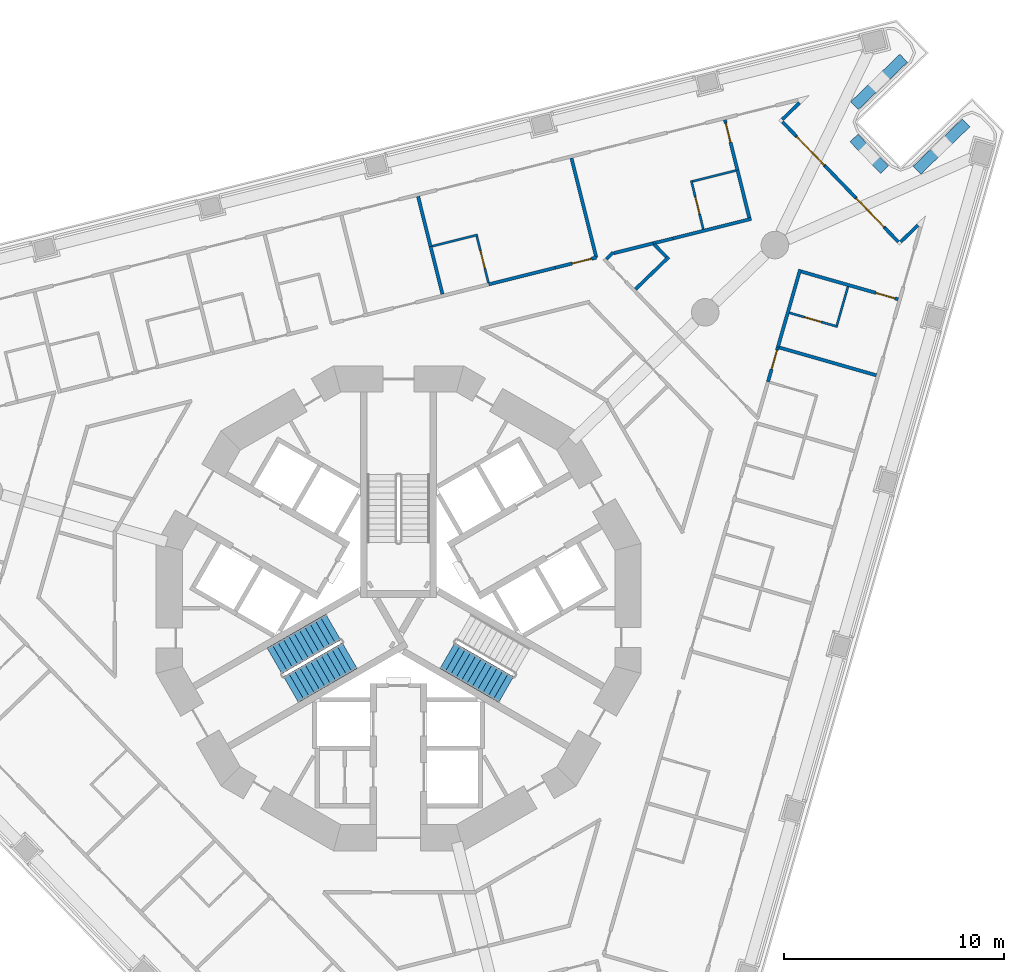
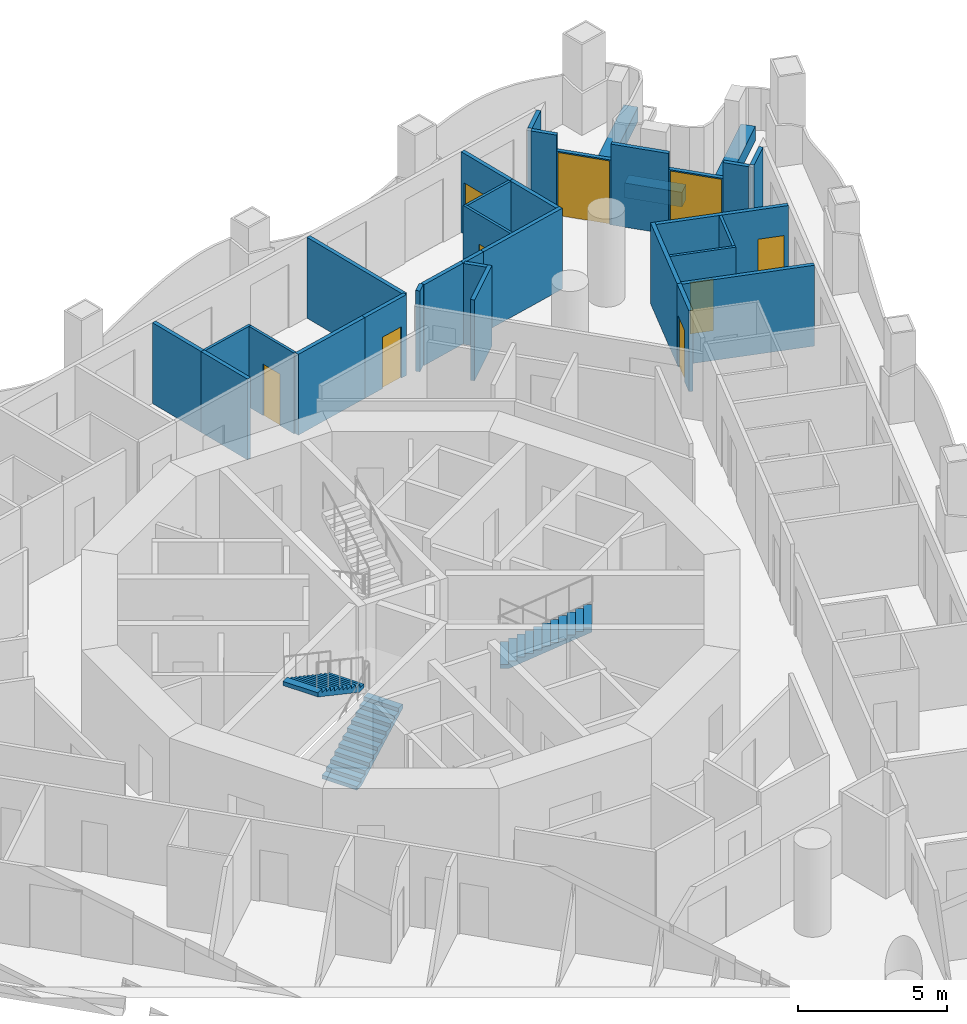
# One storey, part 11 of 20: 33 walls, 9 doors, 3 stair flights, 9 openings, 2 elements without a shape of their own.
"""IFC4 building model written with IfcOpenShell, lengths in metres."""

from ifc_helpers import new_model, si_unit, direction, frame, frame_2d, origin, place, context, subcontext, project, spatial, polyline, rectangle, outline, extrude, material, layer, layer_set, type_object, element, fill, aggregate, save


model = new_model("IFC4")

# Units and contexts
model_context = context("Model", 3, precision=1e-05, world=origin(), true_north=direction((0.0, 1.0)))
body_context = subcontext(model_context, "Body", "Model", "MODEL_VIEW")
ifc_project = project(units=[si_unit("LENGTHUNIT", "METRE"), si_unit("AREAUNIT", "SQUARE_METRE"), si_unit("VOLUMEUNIT", "CUBIC_METRE"), si_unit("PLANEANGLEUNIT", "RADIAN"), si_unit("MASSUNIT", "GRAM", prefix="KILO")], contexts=[model_context])

# Site, building, storey
site_placement = place(None, origin())
site = spatial("IfcSite", under=ifc_project, at=site_placement, CompositionType="ELEMENT")
building_placement = place(site_placement, origin())
building = spatial("IfcBuilding", under=site, at=building_placement, Name="Trine Commons Tower", CompositionType="ELEMENT")
storey_placement = place(building_placement, frame((0.0, 0.0, 108.89990234375)))
storey = spatial("IfcBuildingStorey", under=building, at=storey_placement, Name="L27", CompositionType="ELEMENT", Elevation=108.89990234375)

# Walls
ifc_material_1 = material(Name="Aluminium-framed insulated wall panel", Category="aluminium")
ifc_layer_1 = layer(ifc_material_1, 0.14990234375)
ifc_layer_set_1 = layer_set([ifc_layer_1], Name="Aluminium-framed insulated wall panel")
wall_type_1 = type_object("IfcWallType", Name="Glazed frame wall 150, EI 60", PredefinedType="SOLIDWALL", material=ifc_layer_set_1)
wall_1_placement = place(storey_placement, frame((98.3076171875, 85.552490234375, 0.0), z_axis=(0.0, 0.0, 1.0), x_axis=(-0.719251336278, -0.694749966004, 0.0)))
element("IfcWall", 1, at=wall_1_placement, inside=storey, type_object=wall_type_1, Name="Glazed frame wall R5", PredefinedType="SOLIDWALL", context=body_context, shape_type="SweptSolid", body=[
    extrude(outline(polyline([(0.1494140625, 0.074951171875), (0.1494140625, -0.074951171875), (1.235107421875, -0.074951171875), (1.235107421875, 0.074951171875), (0.1494140625, 0.074951171875)])), origin(), (0.0, 0.0, 1.0), 3.300048828125),
])
wall_2_placement = place(storey_placement, frame((97.3408203125, 84.66748046875, 0.0), z_axis=(0.0, 0.0, 1.0), x_axis=(0.694668587965, -0.719329933267, 0.0)))
element("IfcWall", 2, at=wall_2_placement, inside=storey, type_object=wall_type_1, Name="Glazed frame wall P2.1", PredefinedType="SOLIDWALL", context=body_context, shape_type="SweptSolid", body=[
    extrude(outline(polyline([(0.110107421875, -0.074951171875), (1.0, -0.074951171875), (1.0, 0.074951171875), (0.110107421875, 0.074951171875), (0.110107421875, -0.074951171875)])), origin(), (0.0, 0.0, 1.0), 3.300048828125),
])

# Wall, opening, door
wall_3_placement = place(storey_placement, frame((98.035400390625, 83.9482421875, 0.0), z_axis=(0.0, 0.0, 1.0), x_axis=(0.694665586762, -0.719332831566, 0.0)))
wall_3 = element("IfcWall", 3, at=wall_3_placement, inside=storey, type_object=wall_type_1, Name="Glazed frame wall P2.2", PredefinedType="SOLIDWALL", context=body_context, shape_type="SweptSolid", body=[
    extrude(outline(polyline([(0.0, -0.074951171875), (1.89990234375, -0.074951171875), (1.89990234375, 0.074951171875), (0.0, 0.074951171875), (0.0, -0.074951171875)])), origin(), (0.0, 0.0, 1.0), 2.650146484375),
])
opening_1_placement = place(wall_3_placement, frame((0.050048828125, 0.0, 0.0)))
opening_1 = element("IfcOpeningElement", 4, at=opening_1_placement, cuts=wall_3, Name="Opening BD-3P2-01", PredefinedType="OPENING", context=body_context, shape_type="SweptSolid", body=[
    extrude(rectangle(XDim=1.800048828125, YDim=2.60009765625, at=frame_2d((0.89990234375, 1.300048828125))), frame((0.0, 0.0849609375, 0.0), z_axis=(0.0, -1.0, 0.0), x_axis=(1.0, 0.0, 0.0)), (0.0, 0.0, 1.0), 0.169921875),
])
ifc_material_2 = material(Name="Anodised aluminium frame with double glazing", Category="aluminium")
door_type_1 = type_object("IfcDoorType", Name="Sliding loggia door 1800x2600", OperationType="SLIDING_TO_LEFT", PredefinedType="DOOR", material=ifc_material_2)
door_1_placement = place(opening_1_placement, origin())
door_1 = element("IfcDoor", 5, at=door_1_placement, inside=storey, type_object=door_type_1, Name="Loggia door P2 1", OperationType="SLIDING_TO_LEFT", OverallHeight=2.60009765625, OverallWidth=1.800048828125, PredefinedType="DOOR", context=body_context, shape_type="SweptSolid", body=[
    extrude(rectangle(XDim=1.800048828125, YDim=2.60009765625, at=frame_2d((0.89990234375, 1.300048828125))), frame((0.0, 0.02490234375, 0.0), z_axis=(0.0, -1.0, 0.0), x_axis=(1.0, 0.0, 0.0)), (0.0, 0.0, 1.0), 0.050048828125),
])
fill(opening_1, door_1)

# Wall
wall_4_placement = place(storey_placement, frame((99.35546875, 82.581298828125, 0.0), z_axis=(0.0, 0.0, 1.0), x_axis=(0.694668587965, -0.719329933267, 0.0)))
element("IfcWall", 6, at=wall_4_placement, inside=storey, type_object=wall_type_1, Name="Glazed frame wall P2.3", PredefinedType="SOLIDWALL", context=body_context, shape_type="SweptSolid", body=[
    extrude(outline(polyline([(0.0, -0.074951171875), (2.0, -0.074951171875), (2.0, 0.074951171875), (0.0, 0.074951171875), (0.0, -0.074951171875)])), origin(), (0.0, 0.0, 1.0), 3.300048828125),
])

# Wall, opening, door
wall_5_placement = place(storey_placement, frame((100.74462890625, 81.142822265625, 0.0), z_axis=(0.0, 0.0, 1.0), x_axis=(0.694599099672, -0.719397032753, 0.0)))
wall_5 = element("IfcWall", 7, at=wall_5_placement, inside=storey, type_object=wall_type_1, Name="Glazed frame wall P2.4", PredefinedType="SOLIDWALL", context=body_context, shape_type="SweptSolid", body=[
    extrude(outline(polyline([(0.0, -0.074951171875), (1.89990234375, -0.074951171875), (1.89990234375, 0.074951171875), (0.0, 0.074951171875), (0.0, -0.074951171875)])), origin(), (0.0, 0.0, 1.0), 2.650146484375),
])
opening_2_placement = place(wall_5_placement, frame((0.050048828125, 0.0, 0.0)))
opening_2 = element("IfcOpeningElement", 8, at=opening_2_placement, cuts=wall_5, Name="Opening BD-3P2-02", PredefinedType="OPENING", context=body_context, shape_type="SweptSolid", body=[
    extrude(rectangle(XDim=1.800048828125, YDim=2.60009765625, at=frame_2d((0.89990234375, 1.300048828125))), frame((0.0, 0.0849609375, 0.0), z_axis=(0.0, -1.0, 0.0), x_axis=(1.0, 0.0, 0.0)), (0.0, 0.0, 1.0), 0.169921875),
])
door_2_placement = place(opening_2_placement, origin())
door_2 = element("IfcDoor", 9, at=door_2_placement, inside=storey, type_object=door_type_1, Name="Loggia door P2 2", OperationType="SLIDING_TO_LEFT", OverallHeight=2.60009765625, OverallWidth=1.800048828125, PredefinedType="DOOR", context=body_context, shape_type="SweptSolid", body=[
    extrude(rectangle(XDim=1.800048828125, YDim=2.60009765625, at=frame_2d((0.89990234375, 1.300048828125))), frame((0.0, 0.02490234375, 0.0), z_axis=(0.0, -1.0, 0.0), x_axis=(1.0, 0.0, 0.0)), (0.0, 0.0, 1.0), 0.050048828125),
])
fill(opening_2, door_2)

# Walls
wall_6_placement = place(storey_placement, frame((102.064453125, 79.77587890625, 0.0), z_axis=(0.0, 0.0, 1.0), x_axis=(0.694794898962, -0.719207931252, 0.0)))
element("IfcWall", 10, at=wall_6_placement, inside=storey, type_object=wall_type_1, Name="Glazed frame wall P2.5", PredefinedType="SOLIDWALL", context=body_context, shape_type="SweptSolid", body=[
    extrude(outline(polyline([(0.889892578125, 0.074951171875), (0.0, 0.074951171875), (0.0, -0.074951171875), (0.889892578125, -0.074951171875), (0.889892578125, 0.074951171875)])), origin(), (0.0, 0.0, 1.0), 3.300048828125),
])
wall_7_placement = place(storey_placement, frame((102.709716796875, 79.0576171875, 0.0), z_axis=(0.0, 0.0, 1.0), x_axis=(0.719342032924, 0.694656058542, 0.0)))
element("IfcWall", 11, at=wall_7_placement, inside=storey, type_object=wall_type_1, Name="Glazed frame wall R7", PredefinedType="SOLIDWALL", context=body_context, shape_type="SweptSolid", body=[
    extrude(outline(polyline([(0.110107421875, 0.074951171875), (0.110107421875, -0.074951171875), (1.19580078125, -0.074951171875), (1.19580078125, 0.074951171875), (0.110107421875, 0.074951171875)])), origin(), (0.0, 0.0, 1.0), 3.300048828125),
])
ifc_material_3 = material(Name="Planter trough, precast concrete C40/50", Category="concrete")
ifc_layer_2 = layer(ifc_material_3, 0.5)
ifc_layer_set_2 = layer_set([ifc_layer_2], Name="Planter trough, precast concrete C40/50")
wall_type_2 = type_object("IfcWallType", Name="Planter trough 500x600", PredefinedType="PARAPET", material=ifc_layer_set_2)
wall_8_placement = place(storey_placement, frame((102.923828125, 87.47314453125, 0.0), z_axis=(0.0, 0.0, 1.0), x_axis=(-0.719324109218, -0.694674618723, 0.0)))
element("IfcWall", 12, at=wall_8_placement, inside=storey, type_object=wall_type_2, Name="Planter 4", PredefinedType="PARAPET", context=body_context, shape_type="SweptSolid", body=[
    extrude(rectangle(XDim=3.10009765625, YDim=0.5, at=frame_2d((1.550048828125, 0.0))), origin(), (0.0, 0.0, 1.0), 0.60009765625),
])
wall_9_placement = place(storey_placement, frame((100.668212890625, 83.84912109375, 0.0), z_axis=(0.0, 0.0, 1.0), x_axis=(0.694731751498, -0.719268929859, 0.0)))
element("IfcWall", 13, at=wall_9_placement, inside=storey, type_object=wall_type_2, Name="Planter 5", PredefinedType="PARAPET", context=body_context, shape_type="SweptSolid", body=[
    extrude(rectangle(XDim=2.0, YDim=0.5, at=frame_2d((1.0, 0.0))), origin(), (0.0, 0.0, 1.0), 0.60009765625),
])
wall_10_placement = place(storey_placement, frame((103.528076171875, 82.385009765625, 0.0), z_axis=(0.0, 0.0, 1.0), x_axis=(0.719363462475, 0.694633866765, 0.0)))
element("IfcWall", 14, at=wall_10_placement, inside=storey, type_object=wall_type_2, Name="Planter 6", PredefinedType="PARAPET", context=body_context, shape_type="SweptSolid", body=[
    extrude(rectangle(XDim=3.099853515625, YDim=0.5, at=frame_2d((1.5498046875, 0.0))), origin(), (0.0, 0.0, 1.0), 0.60009765625),
])
ifc_material_4 = material(Name="Gypsum plasterboard on steel stud", Category="steel")
ifc_layer_3 = layer(ifc_material_4, 0.14990234375)
ifc_layer_set_3 = layer_set([ifc_layer_3], Name="Gypsum plasterboard on steel stud")
wall_type_3 = type_object("IfcWallType", Name="Unit and corridor wall 150 mm, EI 60", PredefinedType="PARTITIONING", material=ifc_layer_set_3)
wall_11_placement = place(storey_placement, frame((80.8857421875, 81.1982421875, 0.0), z_axis=(0.0, 0.0, 1.0), x_axis=(0.242047152862, -0.970264487545, 0.0)))
element("IfcWall", 15, at=wall_11_placement, inside=storey, type_object=wall_type_3, Name="Partition 072", PredefinedType="PARTITIONING", context=body_context, shape_type="SweptSolid", body=[
    extrude(rectangle(XDim=2.35205078125, YDim=0.14990234375, at=frame_2d((1.176025390625, 0.0))), origin(), (0.0, 0.0, 1.0), 3.300048828125),
])
wall_12_placement = place(storey_placement, frame((81.452880859375, 78.924072265625, 0.0), z_axis=(0.0, 0.0, 1.0), x_axis=(0.241891147117, -0.970303392216, 0.0)))
element("IfcWall", 16, at=wall_12_placement, inside=storey, type_object=wall_type_3, Name="Partition 076", PredefinedType="PARTITIONING", context=body_context, shape_type="SweptSolid", body=[
    extrude(rectangle(XDim=2.228515625, YDim=0.14990234375, at=frame_2d((1.1142578125, 0.0))), origin(), (0.0, 0.0, 1.0), 3.300048828125),
])
wall_13_placement = place(storey_placement, frame((84.092041015625, 77.2080078125, 0.0), z_axis=(0.0, 0.0, 1.0), x_axis=(0.970276558839, 0.24199875902, 0.0)))
element("IfcWall", 17, at=wall_13_placement, inside=storey, type_object=wall_type_3, Name="Partition 087", PredefinedType="PARTITIONING", context=body_context, shape_type="SweptSolid", body=[
    extrude(rectangle(XDim=3.103271484375, YDim=0.14990234375, at=frame_2d((1.5517578125, 0.0))), origin(), (0.0, 0.0, 1.0), 3.300048828125),
])

# Wall, opening, door
wall_14_placement = place(storey_placement, frame((87.10302734375, 77.958984375, 0.0), z_axis=(0.0, 0.0, 1.0), x_axis=(0.970439241323, 0.241345559105, 0.0)))
wall_14 = element("IfcWall", 18, at=wall_14_placement, inside=storey, type_object=wall_type_3, Name="Partition 097", PredefinedType="PARTITIONING", context=body_context, shape_type="SweptSolid", body=[
    extrude(rectangle(XDim=1.93115234375, YDim=0.14990234375, at=frame_2d((0.965576171875, 0.0))), origin(), (0.0, 0.0, 1.0), 3.300048828125),
])
opening_3_placement = place(wall_14_placement, frame((0.804443359375, 0.0, 0.0)))
opening_3 = element("IfcOpeningElement", 19, at=opening_3_placement, cuts=wall_14, Name="Opening D-3C14", PredefinedType="OPENING", context=body_context, shape_type="SweptSolid", body=[
    extrude(rectangle(XDim=0.89990234375, YDim=2.10009765625, at=frame_2d((0.449951171875, 1.050048828125))), frame((0.0, 0.0849609375, 0.0), z_axis=(0.0, -1.0, 0.0), x_axis=(1.0, 0.0, 0.0)), (0.0, 0.0, 1.0), 0.169921875),
])
ifc_material_5 = material(Name="Timber fire door set", Category="wood")
door_type_2 = type_object("IfcDoorType", Name="Bedroom door 900 x 2100, FD30S", OperationType="NOTDEFINED", PredefinedType="DOOR", material=ifc_material_5)
door_3_placement = place(opening_3_placement, origin())
door_3 = element("IfcDoor", 20, at=door_3_placement, inside=storey, type_object=door_type_2, Name="Door D-3C14", OperationType="SINGLE_SWING_RIGHT", OverallHeight=2.10009765625, OverallWidth=0.89990234375, PredefinedType="DOOR", context=body_context, shape_type="SweptSolid", body=[
    extrude(rectangle(XDim=0.89990234375, YDim=2.10009765625, at=frame_2d((0.449951171875, 1.050048828125))), frame((0.0, 0.02490234375, 0.0), z_axis=(0.0, -1.0, 0.0), x_axis=(1.0, 0.0, 0.0)), (0.0, 0.0, 1.0), 0.050048828125),
])
fill(opening_3, door_3)

# Walls
wall_15_placement = place(storey_placement, frame((87.8486328125, 82.93408203125, 0.0), z_axis=(0.0, 0.0, 1.0), x_axis=(0.24192986462, -0.970293739341, 0.0)))
element("IfcWall", 21, at=wall_15_placement, inside=storey, type_object=wall_type_3, Name="Partition 103", PredefinedType="PARTITIONING", context=body_context, shape_type="SweptSolid", body=[
    extrude(rectangle(XDim=4.64697265625, YDim=0.14990234375, at=frame_2d((2.323486328125, 0.0))), origin(), (0.0, 0.0, 1.0), 3.300048828125),
])
wall_16_placement = place(storey_placement, frame((89.431884765625, 78.354248046875, 0.0), z_axis=(0.0, 0.0, 1.0), x_axis=(0.71857486408, 0.695449613352, 0.0)))
element("IfcWall", 22, at=wall_16_placement, inside=storey, type_object=wall_type_3, Name="Partition 113", PredefinedType="PARTITIONING", context=body_context, shape_type="SweptSolid", body=[
    extrude(rectangle(XDim=0.432861328125, YDim=0.14990234375, at=frame_2d((0.21630859375, 0.0))), origin(), (0.0, 0.0, 1.0), 3.300048828125),
])
wall_17_placement = place(storey_placement, frame((89.76171875, 78.62109375, 0.0), z_axis=(0.0, 0.0, 1.0), x_axis=(0.970212352615, 0.242256043958, 0.0)))
element("IfcWall", 23, at=wall_17_placement, inside=storey, type_object=wall_type_3, Name="Partition 116", PredefinedType="PARTITIONING", context=body_context, shape_type="SweptSolid", body=[
    extrude(rectangle(XDim=1.849365234375, YDim=0.14990234375, at=frame_2d((0.9248046875, 0.0))), origin(), (0.0, 0.0, 1.0), 3.300048828125),
])
wall_18_placement = place(storey_placement, frame((90.751953125, 76.987060546875, 0.0), z_axis=(0.0, 0.0, 1.0), x_axis=(0.719152982376, 0.694851774079, 0.0)))
element("IfcWall", 24, at=wall_18_placement, inside=storey, type_object=wall_type_3, Name="Partition 120", PredefinedType="PARTITIONING", context=body_context, shape_type="SweptSolid", body=[
    extrude(rectangle(XDim=2.099609375, YDim=0.14990234375, at=frame_2d((1.0498046875, 0.0))), origin(), (0.0, 0.0, 1.0), 3.300048828125),
])
wall_19_placement = place(storey_placement, frame((91.608154296875, 79.01513671875, 0.0), z_axis=(0.0, 0.0, 1.0), x_axis=(0.694771305492, -0.71923072311, 0.0)))
element("IfcWall", 25, at=wall_19_placement, inside=storey, type_object=wall_type_3, Name="Partition 123", PredefinedType="PARTITIONING", context=body_context, shape_type="SweptSolid", body=[
    extrude(rectangle(XDim=0.78857421875, YDim=0.14990234375, at=frame_2d((0.394287109375, 0.0))), origin(), (0.0, 0.0, 1.0), 3.300048828125),
])
wall_20_placement = place(storey_placement, frame((91.555908203125, 79.069091796875, 0.0), z_axis=(0.0, 0.0, 1.0), x_axis=(0.970312917643, 0.241852934351, 0.0)))
element("IfcWall", 26, at=wall_20_placement, inside=storey, type_object=wall_type_3, Name="Partition 124", PredefinedType="PARTITIONING", context=body_context, shape_type="SweptSolid", body=[
    extrude(rectangle(XDim=0.92578125, YDim=0.14990234375, at=frame_2d((0.462890625, 0.0))), origin(), (0.0, 0.0, 1.0), 3.300048828125),
])
wall_21_placement = place(storey_placement, frame((92.4541015625, 79.29296875, 0.0), z_axis=(0.0, 0.0, 1.0), x_axis=(0.970299100739, 0.241908360967, 0.0)))
element("IfcWall", 27, at=wall_21_placement, inside=storey, type_object=wall_type_3, Name="Partition 126", PredefinedType="PARTITIONING", context=body_context, shape_type="SweptSolid", body=[
    extrude(rectangle(XDim=3.66357421875, YDim=0.14990234375, at=frame_2d((1.831787109375, 0.0))), origin(), (0.0, 0.0, 1.0), 3.300048828125),
])

# Wall, opening, door
wall_22_placement = place(storey_placement, frame((94.811767578125, 84.671142578125, 0.0), z_axis=(0.0, 0.0, 1.0), x_axis=(0.24200944289, -0.97027389409, 0.0)))
wall_22 = element("IfcWall", 28, at=wall_22_placement, inside=storey, type_object=wall_type_3, Name="Partition 140", PredefinedType="PARTITIONING", context=body_context, shape_type="SweptSolid", body=[
    extrude(rectangle(XDim=2.40185546875, YDim=0.14990234375, at=frame_2d((1.200927734375, 0.0))), origin(), (0.0, 0.0, 1.0), 3.300048828125),
])
opening_4_placement = place(wall_22_placement, frame((0.14990234375, 0.0, 0.0)))
opening_4 = element("IfcOpeningElement", 29, at=opening_4_placement, cuts=wall_22, Name="Opening D-3C15", PredefinedType="OPENING", context=body_context, shape_type="SweptSolid", body=[
    extrude(rectangle(XDim=0.89990234375, YDim=2.10009765625, at=frame_2d((0.449951171875, 1.050048828125))), frame((0.0, 0.0849609375, 0.0), z_axis=(0.0, -1.0, 0.0), x_axis=(1.0, 0.0, 0.0)), (0.0, 0.0, 1.0), 0.169921875),
])
door_4_placement = place(opening_4_placement, frame((0.89990234375, 0.0, 0.0), z_axis=(0.0, 0.0, 1.0), x_axis=(-1.0, 0.0, 0.0)))
door_4 = element("IfcDoor", 30, at=door_4_placement, inside=storey, type_object=door_type_2, Name="Door D-3C15", OperationType="SINGLE_SWING_RIGHT", OverallHeight=2.10009765625, OverallWidth=0.89990234375, PredefinedType="DOOR", context=body_context, shape_type="SweptSolid", body=[
    extrude(rectangle(XDim=0.89990234375, YDim=2.10009765625, at=frame_2d((0.449951171875, 1.050048828125))), frame((0.0, 0.02490234375, 0.0), z_axis=(0.0, -1.0, 0.0), x_axis=(1.0, 0.0, 0.0)), (0.0, 0.0, 1.0), 0.050048828125),
])
fill(opening_4, door_4)

# Wall
wall_23_placement = place(storey_placement, frame((95.37890625, 82.39697265625, 0.0), z_axis=(0.0, 0.0, 1.0), x_axis=(0.241814032712, -0.970322613147, 0.0)))
element("IfcWall", 31, at=wall_23_placement, inside=storey, type_object=wall_type_3, Name="Partition 142", PredefinedType="PARTITIONING", context=body_context, shape_type="SweptSolid", body=[
    extrude(rectangle(XDim=2.229248046875, YDim=0.14990234375, at=frame_2d((1.11474609375, 0.0))), origin(), (0.0, 0.0, 1.0), 3.300048828125),
])

# Wall, opening, door
wall_24_placement = place(storey_placement, frame((96.764892578125, 72.781982421875, 0.0), z_axis=(0.0, 0.0, 1.0), x_axis=(0.275428171862, 0.961321653842, 0.0)))
wall_24 = element("IfcWall", 32, at=wall_24_placement, inside=storey, type_object=wall_type_3, Name="Partition 149", PredefinedType="PARTITIONING", context=body_context, shape_type="SweptSolid", body=[
    extrude(rectangle(XDim=1.6416015625, YDim=0.14990234375, at=frame_2d((0.82080078125, 0.0))), origin(), (0.0, 0.0, 1.0), 3.300048828125),
])
opening_5_placement = place(wall_24_placement, frame((0.591552734375, 0.0, 0.0)))
opening_5 = element("IfcOpeningElement", 33, at=opening_5_placement, cuts=wall_24, Name="Opening D-3C17", PredefinedType="OPENING", context=body_context, shape_type="SweptSolid", body=[
    extrude(rectangle(XDim=0.89990234375, YDim=2.10009765625, at=frame_2d((0.449951171875, 1.050048828125))), frame((0.0, 0.0849609375, 0.0), z_axis=(0.0, -1.0, 0.0), x_axis=(1.0, 0.0, 0.0)), (0.0, 0.0, 1.0), 0.169921875),
])
door_5_placement = place(opening_5_placement, frame((0.89990234375, 0.0, 0.0), z_axis=(0.0, 0.0, 1.0), x_axis=(-1.0, 0.0, 0.0)))
door_5 = element("IfcDoor", 34, at=door_5_placement, inside=storey, type_object=door_type_2, Name="Door D-3C17", OperationType="SINGLE_SWING_LEFT", OverallHeight=2.10009765625, OverallWidth=0.89990234375, PredefinedType="DOOR", context=body_context, shape_type="SweptSolid", body=[
    extrude(rectangle(XDim=0.89990234375, YDim=2.10009765625, at=frame_2d((0.449951171875, 1.050048828125))), frame((0.0, 0.02490234375, 0.0), z_axis=(0.0, -1.0, 0.0), x_axis=(1.0, 0.0, 0.0)), (0.0, 0.0, 1.0), 0.050048828125),
])
fill(opening_5, door_5)

# Walls
wall_25_placement = place(storey_placement, frame((97.217041015625, 74.360107421875, 0.0), z_axis=(0.0, 0.0, 1.0), x_axis=(0.275601093683, 0.961272093198, 0.0)))
element("IfcWall", 35, at=wall_25_placement, inside=storey, type_object=wall_type_3, Name="Partition 151", PredefinedType="PARTITIONING", context=body_context, shape_type="SweptSolid", body=[
    extrude(rectangle(XDim=3.663818359375, YDim=0.14990234375, at=frame_2d((1.83203125, 0.0))), origin(), (0.0, 0.0, 1.0), 3.300048828125),
])
wall_26_placement = place(storey_placement, frame((97.2890625, 74.33935546875, 0.0), z_axis=(0.0, 0.0, 1.0), x_axis=(0.961269673231, -0.275609534171, 0.0)))
element("IfcWall", 36, at=wall_26_placement, inside=storey, type_object=wall_type_3, Name="Partition 152", PredefinedType="PARTITIONING", context=body_context, shape_type="SweptSolid", body=[
    extrude(rectangle(XDim=4.572509765625, YDim=0.14990234375, at=frame_2d((2.2861328125, 0.0))), origin(), (0.0, 0.0, 1.0), 3.300048828125),
])

# Wall, opening, door
wall_27_placement = place(storey_placement, frame((98.278076171875, 77.789306640625, 0.0), z_axis=(0.0, 0.0, 1.0), x_axis=(0.961269673231, -0.275609534171, 0.0)))
wall_27 = element("IfcWall", 37, at=wall_27_placement, inside=storey, type_object=wall_type_3, Name="Partition 155", PredefinedType="PARTITIONING", context=body_context, shape_type="SweptSolid", body=[
    extrude(rectangle(XDim=4.572509765625, YDim=0.14990234375, at=frame_2d((2.2861328125, 0.0))), origin(), (0.0, 0.0, 1.0), 3.300048828125),
])
opening_6_placement = place(wall_27_placement, frame((3.522705078125, 0.0, 0.0)))
opening_6 = element("IfcOpeningElement", 38, at=opening_6_placement, cuts=wall_27, Name="Opening D-3C16", PredefinedType="OPENING", context=body_context, shape_type="SweptSolid", body=[
    extrude(rectangle(XDim=0.89990234375, YDim=2.10009765625, at=frame_2d((0.449951171875, 1.050048828125))), frame((0.0, 0.0849609375, 0.0), z_axis=(0.0, -1.0, 0.0), x_axis=(1.0, 0.0, 0.0)), (0.0, 0.0, 1.0), 0.169921875),
])
door_6_placement = place(opening_6_placement, frame((0.89990234375, 0.0, 0.0), z_axis=(0.0, 0.0, 1.0), x_axis=(-1.0, 0.0, 0.0)))
door_6 = element("IfcDoor", 39, at=door_6_placement, inside=storey, type_object=door_type_2, Name="Door D-3C16", OperationType="SINGLE_SWING_LEFT", OverallHeight=2.10009765625, OverallWidth=0.89990234375, PredefinedType="DOOR", context=body_context, shape_type="SweptSolid", body=[
    extrude(rectangle(XDim=0.89990234375, YDim=2.10009765625, at=frame_2d((0.449951171875, 1.050048828125))), frame((0.0, 0.02490234375, 0.0), z_axis=(0.0, -1.0, 0.0), x_axis=(1.0, 0.0, 0.0)), (0.0, 0.0, 1.0), 0.050048828125),
])
fill(opening_6, door_6)

# Wall
ifc_layer_4 = layer(ifc_material_4, 0.10009765625)
ifc_layer_set_4 = layer_set([ifc_layer_4], Name="Gypsum plasterboard on steel stud")
wall_type_4 = type_object("IfcWallType", Name="Unit partition 100 mm, no rating", PredefinedType="PARTITIONING", material=ifc_layer_set_4)
wall_28_placement = place(storey_placement, frame((81.52587890625, 78.938232421875, 0.0), z_axis=(0.0, 0.0, 1.0), x_axis=(0.970196545564, 0.242319340904, 0.0)))
element("IfcWall", 40, at=wall_28_placement, inside=storey, type_object=wall_type_4, Name="Partition 075", PredefinedType="PARTITIONING", context=body_context, shape_type="SweptSolid", body=[
    extrude(rectangle(XDim=2.124755859375, YDim=0.10009765625, at=frame_2d((1.0625, 0.0))), origin(), (0.0, 0.0, 1.0), 3.300048828125),
])

# Wall, opening, door
wall_29_placement = place(storey_placement, frame((83.551025390625, 79.392578125, 0.0), z_axis=(0.0, 0.0, 1.0), x_axis=(0.242165948891, -0.970234844353, 0.0)))
wall_29 = element("IfcWall", 41, at=wall_29_placement, inside=storey, type_object=wall_type_4, Name="Partition 082", PredefinedType="PARTITIONING", context=body_context, shape_type="SweptSolid", body=[
    extrude(rectangle(XDim=2.175537109375, YDim=0.10009765625, at=frame_2d((1.087890625, 0.0))), origin(), (0.0, 0.0, 1.0), 3.300048828125),
])
opening_7_placement = place(wall_29_placement, frame((0.687744140625, 0.0, 0.0)))
opening_7 = element("IfcOpeningElement", 42, at=opening_7_placement, cuts=wall_29, Name="Opening D-3C49", PredefinedType="OPENING", context=body_context, shape_type="SweptSolid", body=[
    extrude(rectangle(XDim=0.800048828125, YDim=2.10009765625, at=frame_2d((0.39990234375, 1.050048828125))), frame((0.0, 0.06005859375, 0.0), z_axis=(0.0, -1.0, 0.0), x_axis=(1.0, 0.0, 0.0)), (0.0, 0.0, 1.0), 0.1201171875),
])
ifc_material_6 = material(Name="Painted timber", Category="wood")
door_type_3 = type_object("IfcDoorType", Name="Internal door 800 x 2100, NOT RATED", OperationType="NOTDEFINED", PredefinedType="DOOR", material=ifc_material_6)
door_7_placement = place(opening_7_placement, origin())
door_7 = element("IfcDoor", 43, at=door_7_placement, inside=storey, type_object=door_type_3, Name="Door D-3C49", OperationType="SINGLE_SWING_RIGHT", OverallHeight=2.10009765625, OverallWidth=0.800048828125, PredefinedType="DOOR", context=body_context, shape_type="SweptSolid", body=[
    extrude(rectangle(XDim=0.800048828125, YDim=2.10009765625, at=frame_2d((0.39990234375, 1.050048828125))), frame((0.0, 0.02490234375, 0.0), z_axis=(0.0, -1.0, 0.0), x_axis=(1.0, 0.0, 0.0)), (0.0, 0.0, 1.0), 0.050048828125),
])
fill(opening_7, door_7)

wall_30_placement = place(storey_placement, frame((93.281982421875, 81.92041015625, 0.0), z_axis=(0.0, 0.0, 1.0), x_axis=(0.241777706381, -0.970331665307, 0.0)))
wall_30 = element("IfcWall", 44, at=wall_30_placement, inside=storey, type_object=wall_type_4, Name="Partition 132", PredefinedType="PARTITIONING", context=body_context, shape_type="SweptSolid", body=[
    extrude(rectangle(XDim=2.27392578125, YDim=0.10009765625, at=frame_2d((1.136962890625, 0.0))), origin(), (0.0, 0.0, 1.0), 3.300048828125),
])
opening_8_placement = place(wall_30_placement, frame((0.76220703125, 0.0, 0.0)))
opening_8 = element("IfcOpeningElement", 45, at=opening_8_placement, cuts=wall_30, Name="Opening D-3C50", PredefinedType="OPENING", context=body_context, shape_type="SweptSolid", body=[
    extrude(rectangle(XDim=0.800048828125, YDim=2.10009765625, at=frame_2d((0.39990234375, 1.050048828125))), frame((0.0, 0.06005859375, 0.0), z_axis=(0.0, -1.0, 0.0), x_axis=(1.0, 0.0, 0.0)), (0.0, 0.0, 1.0), 0.1201171875),
])
door_8_placement = place(opening_8_placement, frame((0.800048828125, 0.0, 0.0), z_axis=(0.0, 0.0, 1.0), x_axis=(-1.0, 0.0, 0.0)))
door_8 = element("IfcDoor", 46, at=door_8_placement, inside=storey, type_object=door_type_3, Name="Door D-3C50", OperationType="SINGLE_SWING_LEFT", OverallHeight=2.10009765625, OverallWidth=0.800048828125, PredefinedType="DOOR", context=body_context, shape_type="SweptSolid", body=[
    extrude(rectangle(XDim=0.800048828125, YDim=2.10009765625, at=frame_2d((0.39990234375, 1.050048828125))), frame((0.0, 0.02490234375, 0.0), z_axis=(0.0, -1.0, 0.0), x_axis=(1.0, 0.0, 0.0)), (0.0, 0.0, 1.0), 0.050048828125),
])
fill(opening_8, door_8)

# Wall
wall_31_placement = place(storey_placement, frame((93.342529296875, 81.884033203125, 0.0), z_axis=(0.0, 0.0, 1.0), x_axis=(0.970192124519, 0.242337041168, 0.0)))
element("IfcWall", 47, at=wall_31_placement, inside=storey, type_object=wall_type_4, Name="Partition 133", PredefinedType="PARTITIONING", context=body_context, shape_type="SweptSolid", body=[
    extrude(rectangle(XDim=2.02490234375, YDim=0.10009765625, at=frame_2d((1.012451171875, 0.0))), origin(), (0.0, 0.0, 1.0), 3.300048828125),
])

# Wall, opening, door
wall_32_placement = place(storey_placement, frame((97.7412109375, 75.914306640625, 0.0), z_axis=(0.0, 0.0, 1.0), x_axis=(0.961244019441, -0.27569899363, 0.0)))
wall_32 = element("IfcWall", 48, at=wall_32_placement, inside=storey, type_object=wall_type_4, Name="Partition 153", PredefinedType="PARTITIONING", context=body_context, shape_type="SweptSolid", body=[
    extrude(rectangle(XDim=2.27490234375, YDim=0.10009765625, at=frame_2d((1.137451171875, 0.0))), origin(), (0.0, 0.0, 1.0), 3.300048828125),
])
opening_9_placement = place(wall_32_placement, frame((0.71240234375, 0.0, 0.0)))
opening_9 = element("IfcOpeningElement", 49, at=opening_9_placement, cuts=wall_32, Name="Opening D-3C51", PredefinedType="OPENING", context=body_context, shape_type="SweptSolid", body=[
    extrude(rectangle(XDim=0.800048828125, YDim=2.10009765625, at=frame_2d((0.39990234375, 1.050048828125))), frame((0.0, 0.06005859375, 0.0), z_axis=(0.0, -1.0, 0.0), x_axis=(1.0, 0.0, 0.0)), (0.0, 0.0, 1.0), 0.1201171875),
])
door_9_placement = place(opening_9_placement, frame((0.800048828125, 0.0, 0.0), z_axis=(0.0, 0.0, 1.0), x_axis=(-1.0, 0.0, 0.0)))
door_9 = element("IfcDoor", 50, at=door_9_placement, inside=storey, type_object=door_type_3, Name="Door D-3C51", OperationType="SINGLE_SWING_RIGHT", OverallHeight=2.10009765625, OverallWidth=0.800048828125, PredefinedType="DOOR", context=body_context, shape_type="SweptSolid", body=[
    extrude(rectangle(XDim=0.800048828125, YDim=2.10009765625, at=frame_2d((0.39990234375, 1.050048828125))), frame((0.0, 0.02490234375, 0.0), z_axis=(0.0, -1.0, 0.0), x_axis=(1.0, 0.0, 0.0)), (0.0, 0.0, 1.0), 0.050048828125),
])
fill(opening_9, door_9)

# Wall
wall_33_placement = place(storey_placement, frame((99.893798828125, 75.34912109375, 0.0), z_axis=(0.0, 0.0, 1.0), x_axis=(0.275374633487, 0.961336991503, 0.0)))
element("IfcWall", 51, at=wall_33_placement, inside=storey, type_object=wall_type_4, Name="Partition 156", PredefinedType="PARTITIONING", context=body_context, shape_type="SweptSolid", body=[
    extrude(rectangle(XDim=1.825439453125, YDim=0.10009765625, at=frame_2d((0.91259765625, 0.0))), origin(), (0.0, 0.0, 1.0), 3.300048828125),
])

# Stair, stair flights
ifc_material_7 = material(Name="Concrete C50/60", Category="concrete")
stair_type = type_object("IfcStairType", Name="Exit stair, dog-leg, 24 risers of 150 mm", PredefinedType="HALF_TURN_STAIR", material=ifc_material_7)
stair_1_placement = place(storey_placement, origin())
stair_1 = element("IfcStair", 52, at=stair_1_placement, inside=storey, type_object=stair_type, Name="L27 Exit stair ST2A", PredefinedType="HALF_TURN_STAIR")
stair_flight_type = type_object("IfcStairFlightType", Name="Stair flight, 1350 wide, 12 risers of 150 mm", PredefinedType="STRAIGHT", material=ifc_material_7)
stair_flight_1_placement = place(storey_placement, frame((75.11767578125, 58.815185546875, 0.0), z_axis=(0.0, 0.0, 1.0), x_axis=(0.866025403784, 0.5, 0.0)))
stair_flight_1 = element("IfcStairFlight", 53, at=stair_flight_1_placement, type_object=stair_flight_type, Name="ST2A flight 1", NumberOfRisers=12, NumberOfTreads=11, PredefinedType="STRAIGHT", RiserHeight=0.15, TreadLength=0.28, context=body_context, shape_type="SweptSolid", body=[
    extrude(outline(polyline([(0.0, 0.0), (0.0, 0.14990234375), (0.280029296875, 0.14990234375), (0.280029296875, 0.300048828125), (0.56005859375, 0.300048828125), (0.56005859375, 0.449951171875), (0.840087890625, 0.449951171875), (0.840087890625, 0.60009765625), (1.1201171875, 0.60009765625), (1.1201171875, 0.75), (1.39990234375, 0.75), (1.39990234375, 0.89990234375), (1.679931640625, 0.89990234375), (1.679931640625, 1.050048828125), (1.9599609375, 1.050048828125), (1.9599609375, 1.199951171875), (2.239990234375, 1.199951171875), (2.239990234375, 1.35009765625), (2.52001953125, 1.35009765625), (2.52001953125, 1.5), (2.800048828125, 1.5), (2.800048828125, 1.64990234375), (3.080078125, 1.64990234375), (3.080078125, 1.800048828125), (3.080078125, 1.47998046875), (0.3173828125, 0.0), (0.0, 0.0)])), frame((0.0, 0.675048828125, 0.0), z_axis=(0.0, -1.0, 0.0), x_axis=(1.0, 0.0, 0.0)), (0.0, 0.0, 1.0), 1.35009765625),
])
stair_flight_2_placement = place(storey_placement, frame((77.03515625, 61.654296875, 1.800048828125), z_axis=(0.0, 0.0, 1.0), x_axis=(-0.866025403784, -0.5, 0.0)))
stair_flight_2 = element("IfcStairFlight", 54, at=stair_flight_2_placement, type_object=stair_flight_type, Name="ST2A flight 2", NumberOfRisers=12, NumberOfTreads=11, PredefinedType="STRAIGHT", RiserHeight=0.15, TreadLength=0.28, context=body_context, shape_type="SweptSolid", body=[
    extrude(outline(polyline([(0.0, 0.0), (0.0, 0.14990234375), (0.280029296875, 0.14990234375), (0.280029296875, 0.300048828125), (0.56005859375, 0.300048828125), (0.56005859375, 0.449951171875), (0.840087890625, 0.449951171875), (0.840087890625, 0.60009765625), (1.1201171875, 0.60009765625), (1.1201171875, 0.75), (1.39990234375, 0.75), (1.39990234375, 0.89990234375), (1.679931640625, 0.89990234375), (1.679931640625, 1.050048828125), (1.9599609375, 1.050048828125), (1.9599609375, 1.199951171875), (2.239990234375, 1.199951171875), (2.239990234375, 1.35009765625), (2.52001953125, 1.35009765625), (2.52001953125, 1.5), (2.800048828125, 1.5), (2.800048828125, 1.64990234375), (3.080078125, 1.64990234375), (3.080078125, 1.800048828125), (3.080078125, 1.47998046875), (0.3173828125, 0.0), (0.0, 0.0)])), frame((0.0, 0.675048828125, 0.0), z_axis=(0.0, -1.0, 0.0), x_axis=(1.0, 0.0, 0.0)), (0.0, 0.0, 1.0), 1.35009765625),
])
aggregate(stair_1, [stair_flight_1, stair_flight_2])

# Stair, stair flight
stair_2_placement = place(storey_placement, origin())
stair_2 = element("IfcStair", 55, at=stair_2_placement, inside=storey, type_object=stair_type, Name="L27 Exit stair ST3A", PredefinedType="HALF_TURN_STAIR")
stair_flight_3_placement = place(storey_placement, frame((82.21484375, 60.355224609375, 1.800048828125), z_axis=(0.0, 0.0, 1.0), x_axis=(0.866025403784, -0.5, 0.0)))
stair_flight_3 = element("IfcStairFlight", 56, at=stair_flight_3_placement, type_object=stair_flight_type, Name="ST3A flight 2", NumberOfRisers=12, NumberOfTreads=11, PredefinedType="STRAIGHT", RiserHeight=0.15, TreadLength=0.28, context=body_context, shape_type="SweptSolid", body=[
    extrude(outline(polyline([(0.0, 0.0), (0.0, 0.14990234375), (0.280029296875, 0.14990234375), (0.280029296875, 0.300048828125), (0.56005859375, 0.300048828125), (0.56005859375, 0.449951171875), (0.840087890625, 0.449951171875), (0.840087890625, 0.60009765625), (1.1201171875, 0.60009765625), (1.1201171875, 0.75), (1.39990234375, 0.75), (1.39990234375, 0.89990234375), (1.679931640625, 0.89990234375), (1.679931640625, 1.050048828125), (1.9599609375, 1.050048828125), (1.9599609375, 1.199951171875), (2.239990234375, 1.199951171875), (2.239990234375, 1.35009765625), (2.52001953125, 1.35009765625), (2.52001953125, 1.5), (2.800048828125, 1.5), (2.800048828125, 1.64990234375), (3.080078125, 1.64990234375), (3.080078125, 1.800048828125), (3.080078125, 1.47998046875), (0.3173828125, 0.0), (0.0, 0.0)])), frame((0.0, 0.675048828125, 0.0), z_axis=(0.0, -1.0, 0.0), x_axis=(1.0, 0.0, 0.0)), (0.0, 0.0, 1.0), 1.35009765625),
])
aggregate(stair_2, [stair_flight_3])

save(model, "model.ifc")
